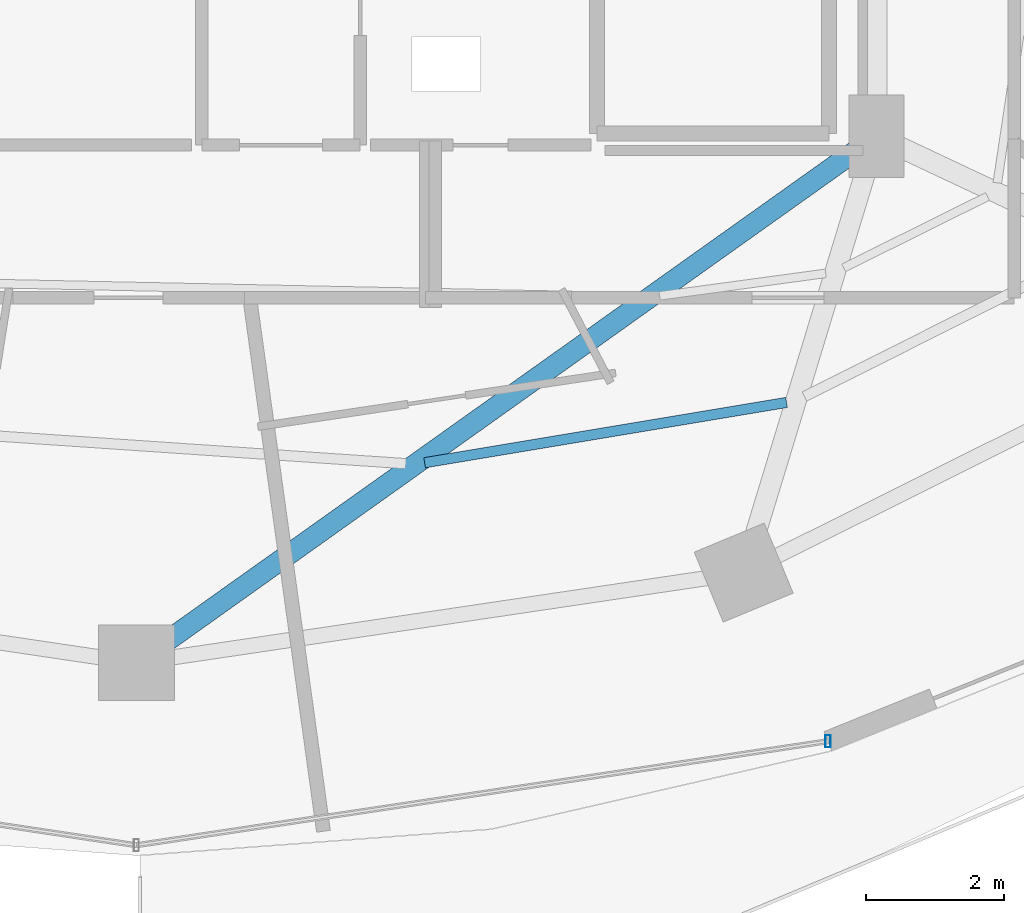
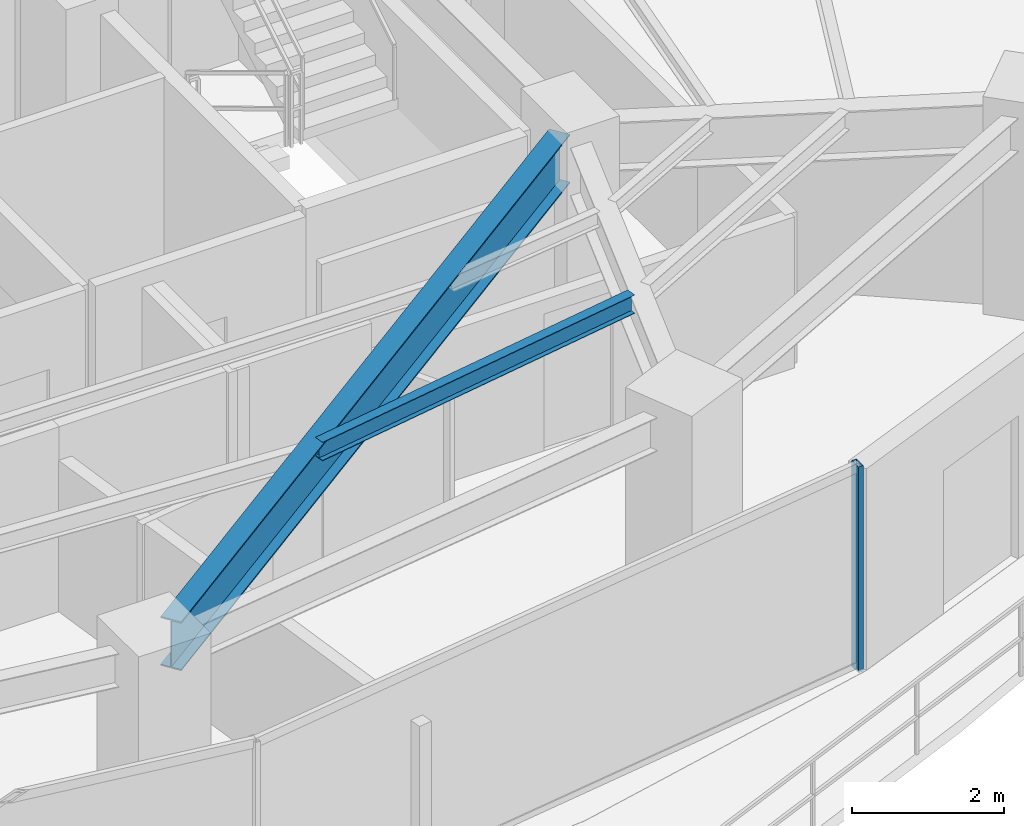
# One storey, part 10 of 30: 2 beams, 1 member, 1 element without a shape of its own.
"""IFC4 building model written with IfcOpenShell, lengths in metres."""

from ifc_helpers import new_model, si_unit, direction, frame, origin, origin_2d, place, context, subcontext, project, spatial, hollow_rectangle, i_section, extrude, material, material_profile, profile_set, type_object, element, aggregate, save


model = new_model("IFC4")

# Units and contexts
model_context = context("Model", 3, precision=1e-05, world=origin(), true_north=direction((0.0, 1.0)))
body_context = subcontext(model_context, "Body", "Model", "MODEL_VIEW")
ifc_project = project(units=[si_unit("LENGTHUNIT", "METRE"), si_unit("AREAUNIT", "SQUARE_METRE"), si_unit("VOLUMEUNIT", "CUBIC_METRE"), si_unit("PLANEANGLEUNIT", "RADIAN"), si_unit("MASSUNIT", "GRAM", prefix="KILO")], contexts=[model_context])

# Site, building, storey
site_placement = place(None, origin())
site = spatial("IfcSite", under=ifc_project, at=site_placement, CompositionType="ELEMENT")
building_placement = place(site_placement, origin())
building = spatial("IfcBuilding", under=site, at=building_placement, Name="Vorneva Point Tower", CompositionType="ELEMENT")
storey_placement = place(building_placement, frame((0.0, 0.0, 92.800048828125)))
storey = spatial("IfcBuildingStorey", under=building, at=storey_placement, Name="L24", CompositionType="ELEMENT", Elevation=92.800048828125)

# Beams
ifc_material_1 = material(Name="Steel S355", Category="steel")
ifc_material_profile_1 = material_profile(ifc_material_1, i_section(OverallWidth=0.300048828125, OverallDepth=0.7880859375, WebThickness=0.014404296875, FlangeThickness=0.02197265625, at=origin_2d()), Name="80Sh1")
ifc_profile_set_1 = profile_set([ifc_material_profile_1], Name="Steel S355")
beam_type_1 = type_object("IfcBeamType", Name="BM-GRD-80Sh1", PredefinedType="USERDEFINED", material=ifc_profile_set_1)
beam_1_placement = place(storey_placement, frame((38.438232421875, 9.11181640625, 2.845947265625), z_axis=(0.814750142675, 0.5798122153, 0.0), x_axis=(-0.5798122153, 0.814750142675, 0.0)))
element("IfcBeam", 1, at=beam_1_placement, inside=storey, type_object=beam_type_1, Name="L24 Radial Primary Girder 13", ObjectType="GIRDER", PredefinedType="USERDEFINED", context=body_context, shape_type="SweptSolid", body=[
    extrude(i_section(OverallWidth=0.300048828125, OverallDepth=0.7880859375, WebThickness=0.014404296875, FlangeThickness=0.02197265625, at=origin_2d()), origin(), (0.0, 0.0, 1.0), 12.316162109375),
])
ifc_material_profile_2 = material_profile(ifc_material_1, i_section(OverallWidth=0.14892578125, OverallDepth=0.298095703125, WebThickness=0.005615234375, FlangeThickness=0.008056640625, at=origin_2d()), Name="30B1")
ifc_profile_set_2 = profile_set([ifc_material_profile_2], Name="Steel S355")
beam_type_2 = type_object("IfcBeamType", Name="BM-JST-30B1", PredefinedType="JOIST", material=ifc_profile_set_2)
beam_2_placement = place(storey_placement, frame((42.18701171875, 11.705322265625, 3.091064453125), z_axis=(0.986391447478, 0.164413844743, 0.0), x_axis=(-0.164413844743, 0.986391447478, 0.0)))
element("IfcBeam", 2, at=beam_2_placement, inside=storey, type_object=beam_type_2, Name="L24 Secondary Floor Beam 1.13", PredefinedType="JOIST", context=body_context, shape_type="SweptSolid", body=[
    extrude(i_section(OverallWidth=0.14892578125, OverallDepth=0.298095703125, WebThickness=0.005615234375, FlangeThickness=0.008056640625, at=origin_2d()), origin(), (0.0, 0.0, 1.0), 5.329345703125),
])

# Curtain wall, member
ifc_material_2 = material(Name="Pale anodised aluminium", Category="aluminium")
curtain_wall_type = type_object("IfcCurtainWallType", Name="CW-HTL-SYS", PredefinedType="NOTDEFINED", material=ifc_material_2)
curtain_wall_placement = place(storey_placement, origin())
curtain_wall = element("IfcCurtainWall", 3, at=curtain_wall_placement, inside=storey, type_object=curtain_wall_type, Name="L24 Unitised Curtain Wall CW-L24-R04", PredefinedType="NOTDEFINED")
ifc_material_profile_3 = material_profile(ifc_material_2, hollow_rectangle(XDim=0.074951171875, YDim=0.179931640625, WallThickness=0.00390625, at=origin_2d()), Name="AL-MUL 180x75x4")
ifc_profile_set_3 = profile_set([ifc_material_profile_3], Name="Pale anodised aluminium")
member_type = type_object("IfcMemberType", Name="CW-MUL-180", PredefinedType="MULLION", material=ifc_profile_set_3)
member_placement = place(storey_placement, frame((48.04541015625, 7.660888671875, -0.0400390625), z_axis=(0.0, 0.0, 1.0), x_axis=(1.0, 0.0, 0.0)))
member = element("IfcMember", 4, at=member_placement, type_object=member_type, Name="CW-L24-R04 Mullion 04", PredefinedType="MULLION", context=body_context, shape_type="SweptSolid", body=[
    extrude(hollow_rectangle(XDim=0.074951171875, YDim=0.179931640625, WallThickness=0.00390625, at=origin_2d()), origin(), (0.0, 0.0, 1.0), 3.31005859375),
])
aggregate(curtain_wall, [member])

save(model, "model.ifc")
